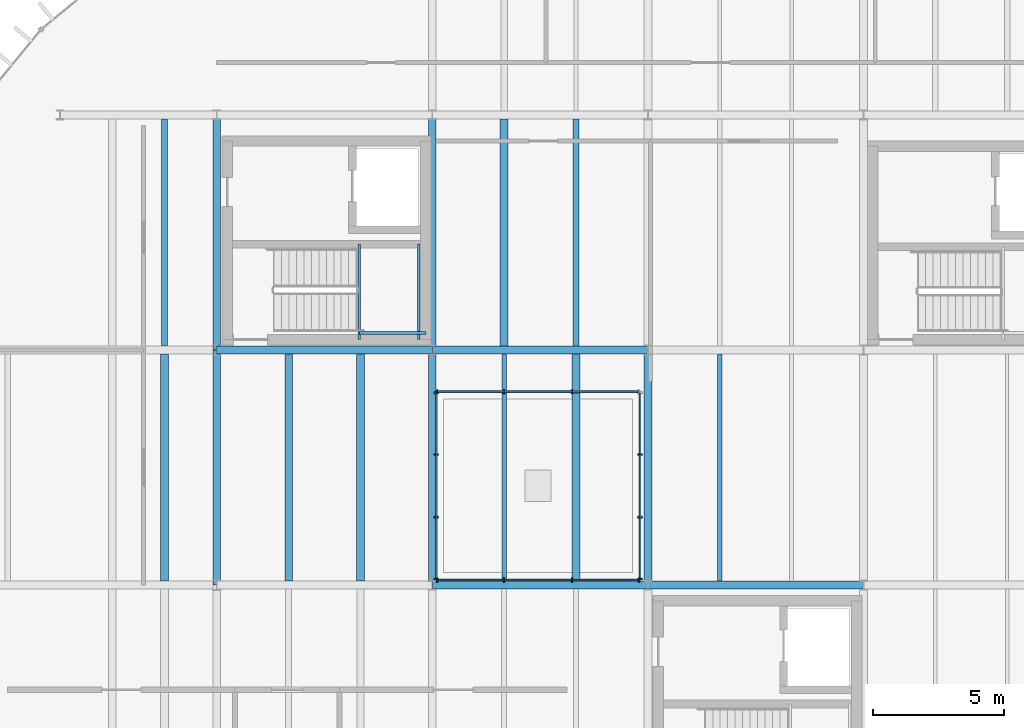
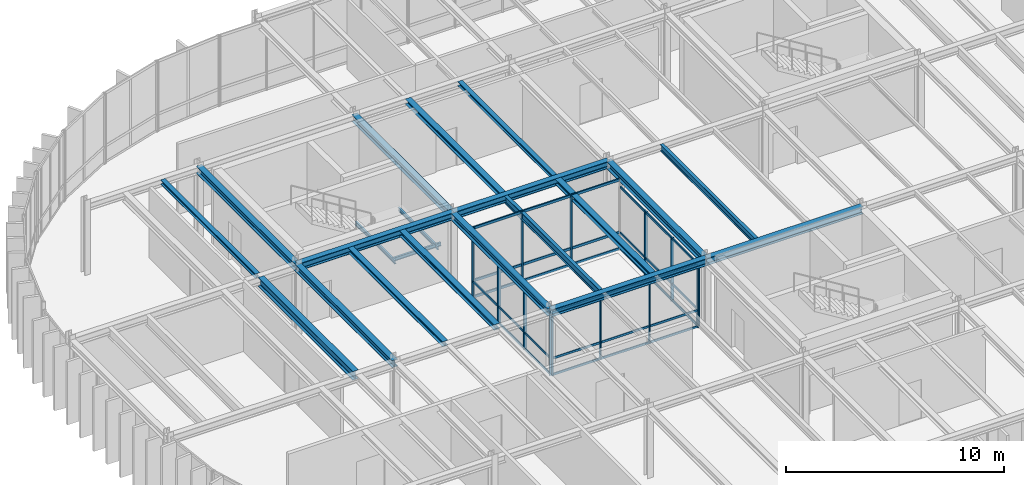
# One storey, part 10 of 31: 26 members, 21 beams, 4 elements without a shape of their own.
"""IFC4 building model written with IfcOpenShell, lengths in metres."""

from ifc_helpers import new_model, si_unit, direction, frame, origin, origin_2d, place, context, subcontext, project, spatial, rectangle, i_section, extrude, material, layer, layer_set, material_profile, profile_set, type_object, element, aggregate, save


model = new_model("IFC4")

# Units and contexts
model_context = context("Model", 3, precision=1e-05, world=origin(), true_north=direction((0.0, 1.0)))
body_context = subcontext(model_context, "Body", "Model", "MODEL_VIEW")
ifc_project = project(units=[si_unit("LENGTHUNIT", "METRE"), si_unit("AREAUNIT", "SQUARE_METRE"), si_unit("VOLUMEUNIT", "CUBIC_METRE"), si_unit("PLANEANGLEUNIT", "RADIAN"), si_unit("MASSUNIT", "GRAM", prefix="KILO")], contexts=[model_context])

# Site, building, storey
site_placement = place(None, origin())
site = spatial("IfcSite", under=ifc_project, at=site_placement, CompositionType="ELEMENT")
building_placement = place(site_placement, origin())
building = spatial("IfcBuilding", under=site, at=building_placement, Name="Montealbar Specialist Clinic", CompositionType="ELEMENT")
storey_placement = place(building_placement, frame((0.0, 0.0, 13.800048828125)))
storey = spatial("IfcBuildingStorey", under=building, at=storey_placement, Name="L03", CompositionType="ELEMENT", Elevation=13.800048828125)

# Beams
ifc_material_1 = material(Name="Steel S355", Category="steel")
ifc_material_profile_1 = material_profile(ifc_material_1, i_section(OverallWidth=0.300048828125, OverallDepth=0.39990234375, WebThickness=0.013427734375, FlangeThickness=0.02392578125, FilletRadius=0.027099609375, at=origin_2d()), Name="HEB 400", Category="steel")
ifc_profile_set_1 = profile_set([ifc_material_profile_1], Name="Steel S355")
beam_type_1 = type_object("IfcBeamType", Name="BM-GIRD-HEB400", PredefinedType="BEAM", material=ifc_profile_set_1)
for number, where, z_axis, x_axis, name in (
    (1, (82.5, 18.0, 3.739990234375), (1.0, 0.0, 0.0), (0.0, 1.0, 0.0), "Beam GX-L03-825-908-180"),
    (2, (66.0, 27.0, 3.739990234375), (1.0, 0.0, 0.0), (0.0, 1.0, 0.0), "Beam GX-L03-660-742-270"),
    (3, (74.25, 27.0, 3.739990234375), (1.0, 0.0, 0.0), (0.0, 1.0, 0.0), "Beam GX-L03-742-825-270"),
):
    element("IfcBeam", number, at=place(storey_placement, frame(where, z_axis=z_axis, x_axis=x_axis)), inside=storey, type_object=beam_type_1, Name=name, PredefinedType="BEAM", context=body_context, shape_type="SweptSolid", body=[
        extrude(i_section(OverallWidth=0.300048828125, OverallDepth=0.39990234375, WebThickness=0.013427734375, FlangeThickness=0.02392578125, FilletRadius=0.027099609375, at=origin_2d()), origin(), (0.0, 0.0, 1.0), 8.25),
    ])
for number, where, z_axis, x_axis, name in (
    (4, (66.0, 18.0, 3.739990234375), (0.0, 1.0, 0.0), (-1.0, 0.0, 0.0), "Beam GY-L03-660-180-270"),
    (5, (66.0, 27.0, 3.739990234375), (0.0, 1.0, 0.0), (-1.0, 0.0, 0.0), "Beam GY-L03-660-270-360"),
    (6, (74.25, 27.0, 3.739990234375), (0.0, 1.0, 0.0), (-1.0, 0.0, 0.0), "Beam GY-L03-742-270-360"),
):
    element("IfcBeam", number, at=place(storey_placement, frame(where, z_axis=z_axis, x_axis=x_axis)), inside=storey, type_object=beam_type_1, Name=name, PredefinedType="BEAM", context=body_context, shape_type="SweptSolid", body=[
        extrude(i_section(OverallWidth=0.300048828125, OverallDepth=0.39990234375, WebThickness=0.013427734375, FlangeThickness=0.02392578125, FilletRadius=0.027099609375, at=origin_2d()), origin(), (0.0, 0.0, 1.0), 9.0),
    ])
ifc_material_profile_2 = material_profile(ifc_material_1, i_section(OverallWidth=0.300048828125, OverallDepth=0.39990234375, WebThickness=0.013427734375, FlangeThickness=0.02392578125, FilletRadius=0.027099609375, at=origin_2d()), Name="HEB 400", Category="steel")
ifc_profile_set_2 = profile_set([ifc_material_profile_2], Name="Steel S355")
beam_type_2 = type_object("IfcBeamType", Name="BM-GIRD-HEB400-EXT", PredefinedType="BEAM", material=ifc_profile_set_2)
beam_1_placement = place(storey_placement, frame((74.25, 18.0, 3.739990234375), z_axis=(1.0, 0.0, 0.0), x_axis=(0.0, 1.0, 0.0)))
element("IfcBeam", 7, at=beam_1_placement, inside=storey, type_object=beam_type_2, Name="Beam GX-L03-742-825-180", PredefinedType="BEAM", context=body_context, shape_type="SweptSolid", body=[
    extrude(i_section(OverallWidth=0.300048828125, OverallDepth=0.39990234375, WebThickness=0.013427734375, FlangeThickness=0.02392578125, FilletRadius=0.027099609375, at=origin_2d()), origin(), (0.0, 0.0, 1.0), 8.25),
])
for number, where, z_axis, x_axis, name in (
    (8, (74.25, 18.0, 3.739990234375), (0.0, 1.0, 0.0), (-1.0, 0.0, 0.0), "Beam GY-L03-742-180-270"),
    (9, (82.5, 18.0, 3.739990234375), (0.0, 1.0, 0.0), (-1.0, 0.0, 0.0), "Beam GY-L03-825-180-270"),
):
    element("IfcBeam", number, at=place(storey_placement, frame(where, z_axis=z_axis, x_axis=x_axis)), inside=storey, type_object=beam_type_2, Name=name, PredefinedType="BEAM", context=body_context, shape_type="SweptSolid", body=[
        extrude(i_section(OverallWidth=0.300048828125, OverallDepth=0.39990234375, WebThickness=0.013427734375, FlangeThickness=0.02392578125, FilletRadius=0.027099609375, at=origin_2d()), origin(), (0.0, 0.0, 1.0), 9.0),
    ])
ifc_material_profile_3 = material_profile(ifc_material_1, i_section(OverallWidth=0.300048828125, OverallDepth=0.489990234375, WebThickness=0.011962890625, FlangeThickness=0.02294921875, FilletRadius=0.027099609375, at=origin_2d()), Name="HEA 500", Category="steel")
ifc_profile_set_3 = profile_set([ifc_material_profile_3], Name="Steel S355")
beam_type_3 = type_object("IfcBeamType", Name="BM-JST-HEA500", PredefinedType="JOIST", material=ifc_profile_set_3)
beam_2_placement = place(storey_placement, frame((64.0, 18.14990234375, 3.695068359375), z_axis=(0.0, 1.0, 0.0), x_axis=(-1.0, 0.0, 0.0)))
element("IfcBeam", 10, at=beam_2_placement, inside=storey, type_object=beam_type_3, Name="Beam JST-L03-640-182-268", PredefinedType="JOIST", context=body_context, shape_type="SweptSolid", body=[
    extrude(i_section(OverallWidth=0.300048828125, OverallDepth=0.489990234375, WebThickness=0.011962890625, FlangeThickness=0.02294921875, FilletRadius=0.027099609375, at=origin_2d()), origin(), (0.0, 0.0, 1.0), 8.7001953125),
])
ifc_material_profile_4 = material_profile(ifc_material_1, i_section(OverallWidth=0.239990234375, OverallDepth=0.239990234375, WebThickness=0.010009765625, FlangeThickness=0.01708984375, FilletRadius=0.02099609375, at=origin_2d()), Name="HEB 240", Category="steel")
ifc_profile_set_4 = profile_set([ifc_material_profile_4], Name="Steel S355")
beam_type_4 = type_object("IfcBeamType", Name="BM-JST-HEB240", PredefinedType="JOIST", material=ifc_profile_set_4)
beam_3_placement = place(storey_placement, frame((64.0, 27.14990234375, 3.820068359375), z_axis=(0.0, 1.0, 0.0), x_axis=(-1.0, 0.0, 0.0)))
element("IfcBeam", 11, at=beam_3_placement, inside=storey, type_object=beam_type_4, Name="Beam JST-L03-640-272-358", PredefinedType="JOIST", context=body_context, shape_type="SweptSolid", body=[
    extrude(i_section(OverallWidth=0.239990234375, OverallDepth=0.239990234375, WebThickness=0.010009765625, FlangeThickness=0.01708984375, FilletRadius=0.02099609375, at=origin_2d()), origin(), (0.0, 0.0, 1.0), 8.7001953125),
])
ifc_material_profile_5 = material_profile(ifc_material_1, i_section(OverallWidth=0.280029296875, OverallDepth=0.280029296875, WebThickness=0.010498046875, FlangeThickness=0.01806640625, FilletRadius=0.02392578125, at=origin_2d()), Name="HEB 280", Category="steel")
ifc_profile_set_5 = profile_set([ifc_material_profile_5], Name="Steel S355")
beam_type_5 = type_object("IfcBeamType", Name="BM-JST-HEB280", PredefinedType="JOIST", material=ifc_profile_set_5)
beam_4_placement = place(storey_placement, frame((68.75, 18.14990234375, 3.800048828125), z_axis=(0.0, 1.0, 0.0), x_axis=(-1.0, 0.0, 0.0)))
element("IfcBeam", 12, at=beam_4_placement, inside=storey, type_object=beam_type_5, Name="Beam JST-L03-688-182-268", PredefinedType="JOIST", context=body_context, shape_type="SweptSolid", body=[
    extrude(i_section(OverallWidth=0.280029296875, OverallDepth=0.280029296875, WebThickness=0.010498046875, FlangeThickness=0.01806640625, FilletRadius=0.02392578125, at=origin_2d()), origin(), (0.0, 0.0, 1.0), 8.7001953125),
])
ifc_material_profile_6 = material_profile(ifc_material_1, i_section(OverallWidth=0.300048828125, OverallDepth=0.320068359375, WebThickness=0.011474609375, FlangeThickness=0.0205078125, FilletRadius=0.027099609375, at=origin_2d()), Name="HEB 320", Category="steel")
ifc_profile_set_6 = profile_set([ifc_material_profile_6], Name="Steel S355")
beam_type_6 = type_object("IfcBeamType", Name="BM-JST-HEB320", PredefinedType="JOIST", material=ifc_profile_set_6)
beam_5_placement = place(storey_placement, frame((71.5, 18.14990234375, 3.780029296875), z_axis=(0.0, 1.0, 0.0), x_axis=(-1.0, 0.0, 0.0)))
element("IfcBeam", 13, at=beam_5_placement, inside=storey, type_object=beam_type_6, Name="Beam JST-L03-715-182-268", PredefinedType="JOIST", context=body_context, shape_type="SweptSolid", body=[
    extrude(i_section(OverallWidth=0.300048828125, OverallDepth=0.320068359375, WebThickness=0.011474609375, FlangeThickness=0.0205078125, FilletRadius=0.027099609375, at=origin_2d()), origin(), (0.0, 0.0, 1.0), 8.7001953125),
])
ifc_material_profile_7 = material_profile(ifc_material_1, i_section(OverallWidth=0.169921875, OverallDepth=0.360107421875, WebThickness=0.008056640625, FlangeThickness=0.0126953125, FilletRadius=0.01806640625, at=origin_2d()), Name="IPE 360", Category="steel")
ifc_profile_set_7 = profile_set([ifc_material_profile_7], Name="Steel S355")
beam_type_7 = type_object("IfcBeamType", Name="BM-JST-IPE360", PredefinedType="JOIST", material=ifc_profile_set_7)
beam_6_placement = place(storey_placement, frame((85.25, 18.14990234375, 3.760009765625), z_axis=(0.0, 1.0, 0.0), x_axis=(-1.0, 0.0, 0.0)))
element("IfcBeam", 14, at=beam_6_placement, inside=storey, type_object=beam_type_7, Name="Beam JST-L03-852-182-268", PredefinedType="JOIST", context=body_context, shape_type="SweptSolid", body=[
    extrude(i_section(OverallWidth=0.169921875, OverallDepth=0.360107421875, WebThickness=0.008056640625, FlangeThickness=0.0126953125, FilletRadius=0.01806640625, at=origin_2d()), origin(), (0.0, 0.0, 1.0), 8.7001953125),
])
ifc_material_profile_8 = material_profile(ifc_material_1, i_section(OverallWidth=0.10009765625, OverallDepth=0.199951171875, WebThickness=0.005615234375, FlangeThickness=0.008544921875, FilletRadius=0.011962890625, at=origin_2d()), Name="IPE 200", Category="steel")
ifc_profile_set_8 = profile_set([ifc_material_profile_8], Name="Steel S355")
beam_type_8 = type_object("IfcBeamType", Name="BM-LINT-IPE200", PredefinedType="LINTEL", material=ifc_profile_set_8)
for number, where, z_axis, x_axis, name in (
    (15, (71.455078125, 27.39990234375, 1.800048828125), (0.0, 1.0, 0.0), (-1.0, 0.0, 0.0), "Core C3 Stair Landing Beam L03 W"),
    (16, (73.72998046875, 27.39990234375, 1.800048828125), (0.0, 1.0, 0.0), (-1.0, 0.0, 0.0), "Core C3 Stair Landing Beam L03 E"),
):
    element("IfcBeam", number, at=place(storey_placement, frame(where, z_axis=z_axis, x_axis=x_axis)), inside=storey, type_object=beam_type_8, Name=name, PredefinedType="LINTEL", context=body_context, shape_type="SweptSolid", body=[
        extrude(i_section(OverallWidth=0.10009765625, OverallDepth=0.199951171875, WebThickness=0.005615234375, FlangeThickness=0.008544921875, FilletRadius=0.011962890625, at=origin_2d()), origin(), (0.0, 0.0, 1.0), 3.650146484375),
    ])
beam_7_placement = place(storey_placement, frame((71.455078125, 27.64990234375, 1.800048828125), z_axis=(1.0, 0.0, 0.0), x_axis=(0.0, 1.0, 0.0)))
element("IfcBeam", 17, at=beam_7_placement, inside=storey, type_object=beam_type_8, Name="Core C3 Stair Landing Tie Beam L03", PredefinedType="LINTEL", context=body_context, shape_type="SweptSolid", body=[
    extrude(i_section(OverallWidth=0.10009765625, OverallDepth=0.199951171875, WebThickness=0.005615234375, FlangeThickness=0.008544921875, FilletRadius=0.011962890625, at=origin_2d()), origin(), (0.0, 0.0, 1.0), 2.544921875),
])
ifc_material_profile_9 = material_profile(ifc_material_1, i_section(OverallWidth=0.179931640625, OverallDepth=0.39990234375, WebThickness=0.008544921875, FlangeThickness=0.013427734375, FilletRadius=0.02099609375, at=origin_2d()), Name="IPE 400", Category="steel")
ifc_profile_set_9 = profile_set([ifc_material_profile_9], Name="Steel S355")
beam_type_9 = type_object("IfcBeamType", Name="BM-SEC-IPE400", PredefinedType="BEAM", material=ifc_profile_set_9)
beam_8_placement = place(storey_placement, frame((77.0, 18.14990234375, 3.739990234375), z_axis=(0.0, 1.0, 0.0), x_axis=(-1.0, 0.0, 0.0)))
element("IfcBeam", 18, at=beam_8_placement, inside=storey, type_object=beam_type_9, Name="Beam JST-L03-770-182-268", PredefinedType="BEAM", context=body_context, shape_type="SweptSolid", body=[
    extrude(i_section(OverallWidth=0.179931640625, OverallDepth=0.39990234375, WebThickness=0.008544921875, FlangeThickness=0.013427734375, FilletRadius=0.02099609375, at=origin_2d()), origin(), (0.0, 0.0, 1.0), 8.7001953125),
])
ifc_material_profile_10 = material_profile(ifc_material_1, i_section(OverallWidth=0.239990234375, OverallDepth=0.22998046875, WebThickness=0.007568359375, FlangeThickness=0.011962890625, FilletRadius=0.02099609375, at=origin_2d()), Name="HEA 240", Category="steel")
ifc_profile_set_10 = profile_set([ifc_material_profile_10], Name="Steel S355")
beam_type_10 = type_object("IfcBeamType", Name="BM-SPAND-HEA240", PredefinedType="SPANDREL", material=ifc_profile_set_10)
beam_9_placement = place(storey_placement, frame((79.75, 27.14990234375, 3.824951171875), z_axis=(0.0, 1.0, 0.0), x_axis=(-1.0, 0.0, 0.0)))
element("IfcBeam", 19, at=beam_9_placement, inside=storey, type_object=beam_type_10, Name="Beam JST-L03-798-272-358", PredefinedType="SPANDREL", context=body_context, shape_type="SweptSolid", body=[
    extrude(i_section(OverallWidth=0.239990234375, OverallDepth=0.22998046875, WebThickness=0.007568359375, FlangeThickness=0.011962890625, FilletRadius=0.02099609375, at=origin_2d()), origin(), (0.0, 0.0, 1.0), 8.7001953125),
])
ifc_material_profile_11 = material_profile(ifc_material_1, i_section(OverallWidth=0.300048828125, OverallDepth=0.2900390625, WebThickness=0.008544921875, FlangeThickness=0.013916015625, FilletRadius=0.027099609375, at=origin_2d()), Name="HEA 300", Category="steel")
ifc_profile_set_11 = profile_set([ifc_material_profile_11], Name="Steel S355")
beam_type_11 = type_object("IfcBeamType", Name="BM-SPAND-HEA300", PredefinedType="SPANDREL", material=ifc_profile_set_11)
for number, where, z_axis, x_axis, name in (
    (20, (79.75, 18.14990234375, 3.794921875), (0.0, 1.0, 0.0), (-1.0, 0.0, 0.0), "Beam JST-L03-798-182-268"),
    (21, (77.0, 27.14990234375, 3.794921875), (0.0, 1.0, 0.0), (-1.0, 0.0, 0.0), "Beam JST-L03-770-272-358"),
):
    element("IfcBeam", number, at=place(storey_placement, frame(where, z_axis=z_axis, x_axis=x_axis)), inside=storey, type_object=beam_type_11, Name=name, PredefinedType="SPANDREL", context=body_context, shape_type="SweptSolid", body=[
        extrude(i_section(OverallWidth=0.300048828125, OverallDepth=0.2900390625, WebThickness=0.008544921875, FlangeThickness=0.013916015625, FilletRadius=0.027099609375, at=origin_2d()), origin(), (0.0, 0.0, 1.0), 8.7001953125),
    ])

# Curtain wall, members
ifc_material_2 = material(Name="Low-E double glazing", Category="glass")
ifc_layer_1 = layer(ifc_material_2, 0.199951171875, Name="Low-E double glazing", Category="glass")
ifc_layer_set_1 = layer_set([ifc_layer_1], Name="Low-E double glazing")
curtain_wall_type_1 = type_object("IfcCurtainWallType", Name="CW-TYPE-24", PredefinedType="NOTDEFINED", material=ifc_layer_set_1)
curtain_wall_1_placement = place(storey_placement, origin())
curtain_wall_1 = element("IfcCurtainWall", 22, at=curtain_wall_1_placement, inside=storey, type_object=curtain_wall_type_1, Name="Unitised Curtain Wall CW-L03-822-182-822-254-138", PredefinedType="NOTDEFINED")
ifc_material_3 = material(Name="Anodised aluminium EN AW-6063", Category="aluminium")
ifc_material_profile_12 = material_profile(ifc_material_3, rectangle(XDim=0.06005859375, YDim=0.159912109375, at=origin_2d()), Name="ALU 60x160", Category="aluminium")
ifc_profile_set_12 = profile_set([ifc_material_profile_12], Name="Anodised aluminium EN AW-6063")
member_type_1 = type_object("IfcMemberType", Name="CW-MUL-160", PredefinedType="MULLION", material=ifc_profile_set_12)
member_1_placement = place(storey_placement, frame((82.199951171875, 18.235107421875, 0.0), z_axis=(0.0, 0.0, 1.0), x_axis=(0.0, 1.0, 0.0)))
member_1 = element("IfcMember", 23, at=member_1_placement, type_object=member_type_1, Name="Curtain Wall Mullion CW-L03-822-182-822-254-138-00", PredefinedType="MULLION", context=body_context, shape_type="SweptSolid", body=[
    extrude(rectangle(XDim=0.06005859375, YDim=0.159912109375, at=origin_2d()), origin(), (0.0, 0.0, 1.0), 3.5400390625),
])
member_2_placement = place(storey_placement, frame((82.199951171875, 20.60009765625, 0.0), z_axis=(0.0, 0.0, 1.0), x_axis=(0.0, 1.0, 0.0)))
member_2 = element("IfcMember", 24, at=member_2_placement, type_object=member_type_1, Name="Curtain Wall Mullion CW-L03-822-182-822-254-138-01", PredefinedType="MULLION", context=body_context, shape_type="SweptSolid", body=[
    extrude(rectangle(XDim=0.06005859375, YDim=0.159912109375, at=origin_2d()), origin(), (0.0, 0.0, 1.0), 3.5400390625),
])
member_3_placement = place(storey_placement, frame((82.199951171875, 23.0, 0.0), z_axis=(0.0, 0.0, 1.0), x_axis=(0.0, 1.0, 0.0)))
member_3 = element("IfcMember", 25, at=member_3_placement, type_object=member_type_1, Name="Curtain Wall Mullion CW-L03-822-182-822-254-138-02", PredefinedType="MULLION", context=body_context, shape_type="SweptSolid", body=[
    extrude(rectangle(XDim=0.06005859375, YDim=0.159912109375, at=origin_2d()), origin(), (0.0, 0.0, 1.0), 3.5400390625),
])

ifc_layer_2 = layer(ifc_material_2, 0.199951171875, Name="Low-E double glazing", Category="glass")
ifc_layer_set_2 = layer_set([ifc_layer_2], Name="Low-E double glazing")
curtain_wall_type_2 = type_object("IfcCurtainWallType", Name="CW-TYPE-25", PredefinedType="NOTDEFINED", material=ifc_layer_set_2)
curtain_wall_2_placement = place(storey_placement, origin())
curtain_wall_2 = element("IfcCurtainWall", 26, at=curtain_wall_2_placement, inside=storey, type_object=curtain_wall_type_2, Name="Unitised Curtain Wall CW-L03-822-254-744-254-138", PredefinedType="NOTDEFINED")
member_4_placement = place(storey_placement, frame((79.60009765625, 25.39990234375, 0.0), z_axis=(0.0, 0.0, 1.0), x_axis=(-1.0, 0.0, 0.0)))
member_4 = element("IfcMember", 27, at=member_4_placement, type_object=member_type_1, Name="Curtain Wall Mullion CW-L03-822-254-744-254-138-01", PredefinedType="MULLION", context=body_context, shape_type="SweptSolid", body=[
    extrude(rectangle(XDim=0.06005859375, YDim=0.159912109375, at=origin_2d()), origin(), (0.0, 0.0, 1.0), 3.93994140625),
])
member_5_placement = place(storey_placement, frame((77.0, 25.39990234375, 0.0), z_axis=(0.0, 0.0, 1.0), x_axis=(-1.0, 0.0, 0.0)))
member_5 = element("IfcMember", 28, at=member_5_placement, type_object=member_type_1, Name="Curtain Wall Mullion CW-L03-822-254-744-254-138-02", PredefinedType="MULLION", context=body_context, shape_type="SweptSolid", body=[
    extrude(rectangle(XDim=0.06005859375, YDim=0.159912109375, at=origin_2d()), origin(), (0.0, 0.0, 1.0), 3.93994140625),
])
member_6_placement = place(storey_placement, frame((74.43505859375, 25.39990234375, 0.0), z_axis=(0.0, 0.0, 1.0), x_axis=(-1.0, 0.0, 0.0)))
member_6 = element("IfcMember", 29, at=member_6_placement, type_object=member_type_1, Name="Curtain Wall Mullion CW-L03-822-254-744-254-138-03", PredefinedType="MULLION", context=body_context, shape_type="SweptSolid", body=[
    extrude(rectangle(XDim=0.06005859375, YDim=0.159912109375, at=origin_2d()), origin(), (0.0, 0.0, 1.0), 3.93994140625),
])

curtain_wall_3_placement = place(storey_placement, origin())
curtain_wall_3 = element("IfcCurtainWall", 30, at=curtain_wall_3_placement, inside=storey, type_object=curtain_wall_type_1, Name="Unitised Curtain Wall CW-L03-744-254-744-182-138", PredefinedType="NOTDEFINED")
member_7_placement = place(storey_placement, frame((74.39990234375, 25.364990234375, 0.0), z_axis=(0.0, 0.0, 1.0), x_axis=(0.0, -1.0, 0.0)))
member_7 = element("IfcMember", 31, at=member_7_placement, type_object=member_type_1, Name="Curtain Wall Mullion CW-L03-744-254-744-182-138-00", PredefinedType="MULLION", context=body_context, shape_type="SweptSolid", body=[
    extrude(rectangle(XDim=0.06005859375, YDim=0.159912109375, at=origin_2d()), origin(), (0.0, 0.0, 1.0), 3.5400390625),
])
member_8_placement = place(storey_placement, frame((74.39990234375, 23.0, 0.0), z_axis=(0.0, 0.0, 1.0), x_axis=(0.0, -1.0, 0.0)))
member_8 = element("IfcMember", 32, at=member_8_placement, type_object=member_type_1, Name="Curtain Wall Mullion CW-L03-744-254-744-182-138-01", PredefinedType="MULLION", context=body_context, shape_type="SweptSolid", body=[
    extrude(rectangle(XDim=0.06005859375, YDim=0.159912109375, at=origin_2d()), origin(), (0.0, 0.0, 1.0), 3.5400390625),
])
member_9_placement = place(storey_placement, frame((74.39990234375, 20.60009765625, 0.0), z_axis=(0.0, 0.0, 1.0), x_axis=(0.0, -1.0, 0.0)))
member_9 = element("IfcMember", 33, at=member_9_placement, type_object=member_type_1, Name="Curtain Wall Mullion CW-L03-744-254-744-182-138-02", PredefinedType="MULLION", context=body_context, shape_type="SweptSolid", body=[
    extrude(rectangle(XDim=0.06005859375, YDim=0.159912109375, at=origin_2d()), origin(), (0.0, 0.0, 1.0), 3.5400390625),
])
member_10_placement = place(storey_placement, frame((74.39990234375, 18.235107421875, 0.0), z_axis=(0.0, 0.0, 1.0), x_axis=(0.0, -1.0, 0.0)))
member_10 = element("IfcMember", 34, at=member_10_placement, type_object=member_type_1, Name="Curtain Wall Mullion CW-L03-744-254-744-182-138-03", PredefinedType="MULLION", context=body_context, shape_type="SweptSolid", body=[
    extrude(rectangle(XDim=0.06005859375, YDim=0.159912109375, at=origin_2d()), origin(), (0.0, 0.0, 1.0), 3.5400390625),
])

ifc_layer_3 = layer(ifc_material_2, 0.199951171875, Name="Low-E double glazing", Category="glass")
ifc_layer_set_3 = layer_set([ifc_layer_3], Name="Low-E double glazing")
curtain_wall_type_3 = type_object("IfcCurtainWallType", Name="CW-TYPE-26", PredefinedType="NOTDEFINED", material=ifc_layer_set_3)
curtain_wall_4_placement = place(storey_placement, origin())
curtain_wall_4 = element("IfcCurtainWall", 35, at=curtain_wall_4_placement, inside=storey, type_object=curtain_wall_type_3, Name="Unitised Curtain Wall CW-L03-744-182-822-182-138", PredefinedType="NOTDEFINED")
member_11_placement = place(storey_placement, frame((74.43505859375, 18.199951171875, 0.0), z_axis=(0.0, 0.0, 1.0), x_axis=(1.0, 0.0, 0.0)))
member_11 = element("IfcMember", 36, at=member_11_placement, type_object=member_type_1, Name="Curtain Wall Mullion CW-L03-744-182-822-182-138-00", PredefinedType="MULLION", context=body_context, shape_type="SweptSolid", body=[
    extrude(rectangle(XDim=0.06005859375, YDim=0.159912109375, at=origin_2d()), origin(), (0.0, 0.0, 1.0), 3.5400390625),
])
member_12_placement = place(storey_placement, frame((77.0, 18.199951171875, 0.0), z_axis=(0.0, 0.0, 1.0), x_axis=(1.0, 0.0, 0.0)))
member_12 = element("IfcMember", 37, at=member_12_placement, type_object=member_type_1, Name="Curtain Wall Mullion CW-L03-744-182-822-182-138-01", PredefinedType="MULLION", context=body_context, shape_type="SweptSolid", body=[
    extrude(rectangle(XDim=0.06005859375, YDim=0.159912109375, at=origin_2d()), origin(), (0.0, 0.0, 1.0), 3.5400390625),
])
member_13_placement = place(storey_placement, frame((79.60009765625, 18.199951171875, 0.0), z_axis=(0.0, 0.0, 1.0), x_axis=(1.0, 0.0, 0.0)))
member_13 = element("IfcMember", 38, at=member_13_placement, type_object=member_type_1, Name="Curtain Wall Mullion CW-L03-744-182-822-182-138-02", PredefinedType="MULLION", context=body_context, shape_type="SweptSolid", body=[
    extrude(rectangle(XDim=0.06005859375, YDim=0.159912109375, at=origin_2d()), origin(), (0.0, 0.0, 1.0), 3.5400390625),
])
member_14_placement = place(storey_placement, frame((82.1650390625, 18.199951171875, 0.0), z_axis=(0.0, 0.0, 1.0), x_axis=(1.0, 0.0, 0.0)))
member_14 = element("IfcMember", 39, at=member_14_placement, type_object=member_type_1, Name="Curtain Wall Mullion CW-L03-744-182-822-182-138-03", PredefinedType="MULLION", context=body_context, shape_type="SweptSolid", body=[
    extrude(rectangle(XDim=0.06005859375, YDim=0.159912109375, at=origin_2d()), origin(), (0.0, 0.0, 1.0), 3.5400390625),
])

# Member
ifc_material_4 = material(Name="Powder-coated aluminium", Category="aluminium")
ifc_material_profile_13 = material_profile(ifc_material_4, rectangle(XDim=0.06005859375, YDim=0.1201171875, at=origin_2d()), Name="ALU 60x120", Category="aluminium")
ifc_profile_set_13 = profile_set([ifc_material_profile_13], Name="Powder-coated aluminium")
member_type_2 = type_object("IfcMemberType", Name="CW-TRN-120", PredefinedType="USERDEFINED", material=ifc_profile_set_13)
member_15_placement = place(storey_placement, frame((82.199951171875, 18.25, 0.0400390625), z_axis=(0.0, 1.0, 0.0), x_axis=(-1.0, 0.0, 0.0)))
member_15 = element("IfcMember", 40, at=member_15_placement, type_object=member_type_2, Name="Curtain Wall Transom CW-L03-822-182-822-254-138-00", ObjectType="TRANSOM", PredefinedType="USERDEFINED", context=body_context, shape_type="SweptSolid", body=[
    extrude(rectangle(XDim=0.06005859375, YDim=0.1201171875, at=origin_2d()), origin(), (0.0, 0.0, 1.0), 7.10009765625),
])

member_16_placement = place(storey_placement, frame((82.199951171875, 18.25, 0.949951171875), z_axis=(0.0, 1.0, 0.0), x_axis=(-1.0, 0.0, 0.0)))
member_16 = element("IfcMember", 41, at=member_16_placement, type_object=member_type_2, Name="Curtain Wall Transom CW-L03-822-182-822-254-138-01", ObjectType="TRANSOM", PredefinedType="USERDEFINED", context=body_context, shape_type="SweptSolid", body=[
    extrude(rectangle(XDim=0.06005859375, YDim=0.1201171875, at=origin_2d()), origin(), (0.0, 0.0, 1.0), 7.10009765625),
])

member_17_placement = place(storey_placement, frame((82.199951171875, 18.25, 3.5), z_axis=(0.0, 1.0, 0.0), x_axis=(-1.0, 0.0, 0.0)))
member_17 = element("IfcMember", 42, at=member_17_placement, type_object=member_type_2, Name="Curtain Wall Transom CW-L03-822-182-822-254-138-02", ObjectType="TRANSOM", PredefinedType="USERDEFINED", context=body_context, shape_type="SweptSolid", body=[
    extrude(rectangle(XDim=0.06005859375, YDim=0.1201171875, at=origin_2d()), origin(), (0.0, 0.0, 1.0), 7.10009765625),
])

aggregate(curtain_wall_1, [member_1, member_2, member_3, member_15, member_16, member_17])

member_18_placement = place(storey_placement, frame((74.39990234375, 25.35009765625, 0.0400390625), z_axis=(0.0, -1.0, 0.0), x_axis=(1.0, 0.0, 0.0)))
member_18 = element("IfcMember", 43, at=member_18_placement, type_object=member_type_2, Name="Curtain Wall Transom CW-L03-744-254-744-182-138-00", ObjectType="TRANSOM", PredefinedType="USERDEFINED", context=body_context, shape_type="SweptSolid", body=[
    extrude(rectangle(XDim=0.06005859375, YDim=0.1201171875, at=origin_2d()), origin(), (0.0, 0.0, 1.0), 7.10009765625),
])

member_19_placement = place(storey_placement, frame((74.39990234375, 25.35009765625, 0.949951171875), z_axis=(0.0, -1.0, 0.0), x_axis=(1.0, 0.0, 0.0)))
member_19 = element("IfcMember", 44, at=member_19_placement, type_object=member_type_2, Name="Curtain Wall Transom CW-L03-744-254-744-182-138-01", ObjectType="TRANSOM", PredefinedType="USERDEFINED", context=body_context, shape_type="SweptSolid", body=[
    extrude(rectangle(XDim=0.06005859375, YDim=0.1201171875, at=origin_2d()), origin(), (0.0, 0.0, 1.0), 7.10009765625),
])

member_20_placement = place(storey_placement, frame((74.39990234375, 25.35009765625, 3.5), z_axis=(0.0, -1.0, 0.0), x_axis=(1.0, 0.0, 0.0)))
member_20 = element("IfcMember", 45, at=member_20_placement, type_object=member_type_2, Name="Curtain Wall Transom CW-L03-744-254-744-182-138-02", ObjectType="TRANSOM", PredefinedType="USERDEFINED", context=body_context, shape_type="SweptSolid", body=[
    extrude(rectangle(XDim=0.06005859375, YDim=0.1201171875, at=origin_2d()), origin(), (0.0, 0.0, 1.0), 7.10009765625),
])

aggregate(curtain_wall_3, [member_7, member_8, member_9, member_10, member_18, member_19, member_20])

member_21_placement = place(storey_placement, frame((74.449951171875, 18.199951171875, 0.0400390625), z_axis=(1.0, 0.0, 0.0), x_axis=(0.0, 1.0, 0.0)))
member_21 = element("IfcMember", 46, at=member_21_placement, type_object=member_type_2, Name="Curtain Wall Transom CW-L03-744-182-822-182-138-00", ObjectType="TRANSOM", PredefinedType="USERDEFINED", context=body_context, shape_type="SweptSolid", body=[
    extrude(rectangle(XDim=0.06005859375, YDim=0.1201171875, at=origin_2d()), origin(), (0.0, 0.0, 1.0), 7.699951171875),
])

member_22_placement = place(storey_placement, frame((74.449951171875, 18.199951171875, 0.949951171875), z_axis=(1.0, 0.0, 0.0), x_axis=(0.0, 1.0, 0.0)))
member_22 = element("IfcMember", 47, at=member_22_placement, type_object=member_type_2, Name="Curtain Wall Transom CW-L03-744-182-822-182-138-01", ObjectType="TRANSOM", PredefinedType="USERDEFINED", context=body_context, shape_type="SweptSolid", body=[
    extrude(rectangle(XDim=0.06005859375, YDim=0.1201171875, at=origin_2d()), origin(), (0.0, 0.0, 1.0), 7.699951171875),
])

member_23_placement = place(storey_placement, frame((74.449951171875, 18.199951171875, 3.5), z_axis=(1.0, 0.0, 0.0), x_axis=(0.0, 1.0, 0.0)))
member_23 = element("IfcMember", 48, at=member_23_placement, type_object=member_type_2, Name="Curtain Wall Transom CW-L03-744-182-822-182-138-02", ObjectType="TRANSOM", PredefinedType="USERDEFINED", context=body_context, shape_type="SweptSolid", body=[
    extrude(rectangle(XDim=0.06005859375, YDim=0.1201171875, at=origin_2d()), origin(), (0.0, 0.0, 1.0), 7.699951171875),
])

aggregate(curtain_wall_4, [member_11, member_12, member_13, member_14, member_21, member_22, member_23])

ifc_material_profile_14 = material_profile(ifc_material_4, rectangle(XDim=0.070068359375, YDim=0.139892578125, at=origin_2d()), Name="ALU 70x140", Category="aluminium")
ifc_profile_set_14 = profile_set([ifc_material_profile_14], Name="Powder-coated aluminium")
member_type_3 = type_object("IfcMemberType", Name="CW-TRN-140", PredefinedType="USERDEFINED", material=ifc_profile_set_14)
member_24_placement = place(storey_placement, frame((82.14990234375, 25.39990234375, 0.0400390625), z_axis=(-1.0, 0.0, 0.0), x_axis=(0.0, -1.0, 0.0)))
member_24 = element("IfcMember", 49, at=member_24_placement, type_object=member_type_3, Name="Curtain Wall Transom CW-L03-822-254-744-254-138-00", ObjectType="TRANSOM", PredefinedType="USERDEFINED", context=body_context, shape_type="SweptSolid", body=[
    extrude(rectangle(XDim=0.070068359375, YDim=0.139892578125, at=origin_2d()), origin(), (0.0, 0.0, 1.0), 7.699951171875),
])

member_25_placement = place(storey_placement, frame((82.14990234375, 25.39990234375, 0.949951171875), z_axis=(-1.0, 0.0, 0.0), x_axis=(0.0, -1.0, 0.0)))
member_25 = element("IfcMember", 50, at=member_25_placement, type_object=member_type_3, Name="Curtain Wall Transom CW-L03-822-254-744-254-138-01", ObjectType="TRANSOM", PredefinedType="USERDEFINED", context=body_context, shape_type="SweptSolid", body=[
    extrude(rectangle(XDim=0.070068359375, YDim=0.139892578125, at=origin_2d()), origin(), (0.0, 0.0, 1.0), 7.699951171875),
])

member_26_placement = place(storey_placement, frame((82.14990234375, 25.39990234375, 3.89990234375), z_axis=(-1.0, 0.0, 0.0), x_axis=(0.0, -1.0, 0.0)))
member_26 = element("IfcMember", 51, at=member_26_placement, type_object=member_type_3, Name="Curtain Wall Transom CW-L03-822-254-744-254-138-02", ObjectType="TRANSOM", PredefinedType="USERDEFINED", context=body_context, shape_type="SweptSolid", body=[
    extrude(rectangle(XDim=0.070068359375, YDim=0.139892578125, at=origin_2d()), origin(), (0.0, 0.0, 1.0), 7.699951171875),
])

aggregate(curtain_wall_2, [member_4, member_5, member_6, member_24, member_25, member_26])

save(model, "model.ifc")
